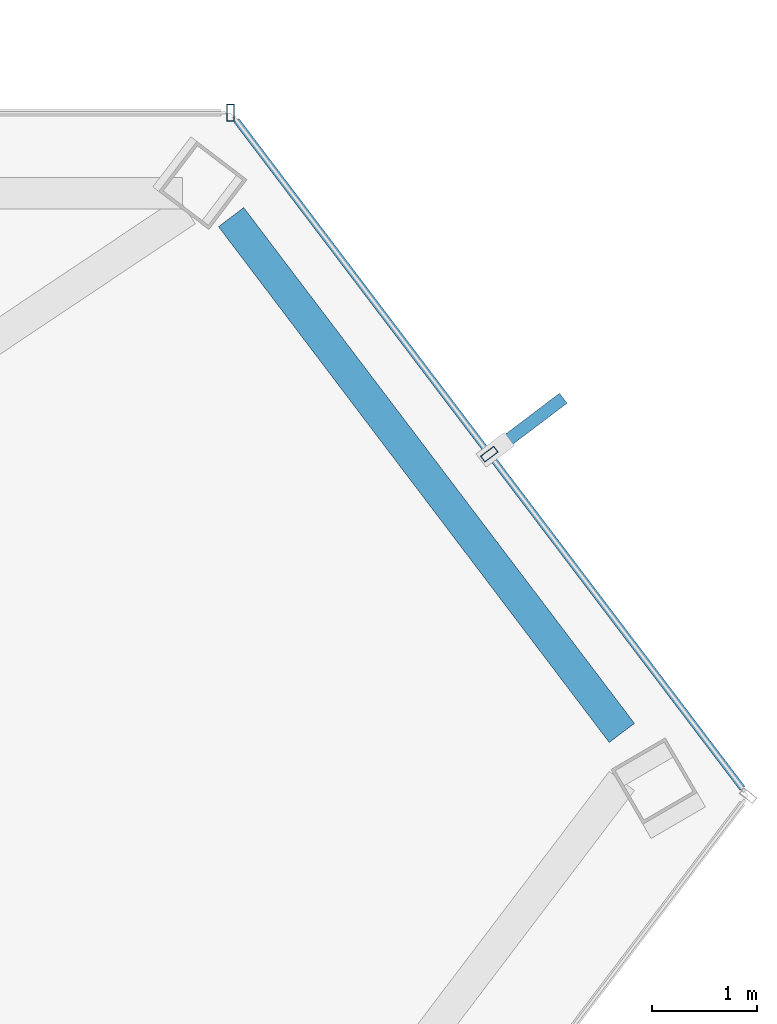
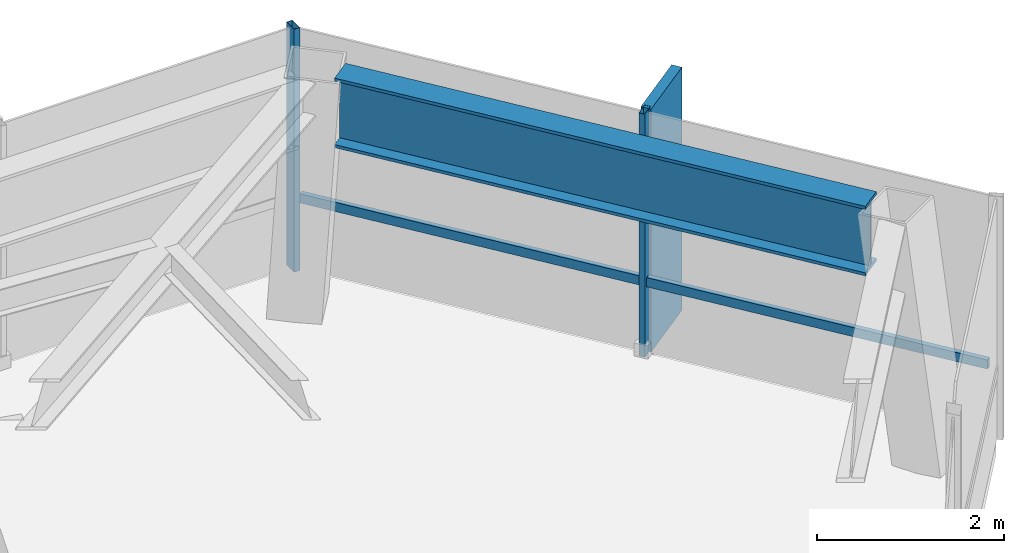
# One storey, part 22 of 27: 4 members, 1 beam, 2 elements without a shape of their own.
"""IFC4 building model written with IfcOpenShell, lengths in metres."""

from ifc_helpers import new_model, si_unit, direction, frame, origin, origin_2d, place, context, subcontext, project, spatial, rectangle, hollow_rectangle, i_section, extrude, material, layer, layer_set, material_profile, profile_set, type_object, element, aggregate, save


model = new_model("IFC4")

# Units and contexts
model_context = context("Model", 3, precision=1e-05, world=origin(), true_north=direction((0.0, 1.0)))
body_context = subcontext(model_context, "Body", "Model", "MODEL_VIEW")
ifc_project = project(units=[si_unit("LENGTHUNIT", "METRE"), si_unit("AREAUNIT", "SQUARE_METRE"), si_unit("VOLUMEUNIT", "CUBIC_METRE"), si_unit("PLANEANGLEUNIT", "RADIAN"), si_unit("MASSUNIT", "GRAM", prefix="KILO")], contexts=[model_context])

# Site, building, storey
site_placement = place(None, origin())
site = spatial("IfcSite", under=ifc_project, at=site_placement, CompositionType="ELEMENT")
building_placement = place(site_placement, origin())
building = spatial("IfcBuilding", under=site, at=building_placement, Name="Zarrinselat Tower", CompositionType="ELEMENT")
storey_placement = place(building_placement, frame((0.0, 0.0, 235.9599609375)))
storey = spatial("IfcBuildingStorey", under=building, at=storey_placement, Name="L59", CompositionType="ELEMENT", Elevation=235.9599609375)

# Beam
ifc_material_1 = material(Name="Steel S460M", Category="steel")
ifc_material_profile_1 = material_profile(ifc_material_1, i_section(OverallWidth=0.302001953125, OverallDepth=0.909912109375, WebThickness=0.02099609375, FlangeThickness=0.0400390625, at=origin_2d()), Name="HEM 900")
ifc_profile_set_1 = profile_set([ifc_material_profile_1], Name="Steel S460M")
beam_type = type_object("IfcBeamType", Name="BM-HEM900", PredefinedType="BEAM", material=ifc_profile_set_1)
beam_placement = place(storey_placement, frame((56.91943359375, 47.181396484375, 2.72509765625), z_axis=(0.603890426248, -0.79706734539, 0.0), x_axis=(0.79706734539, 0.603890426248, 0.0)))
element("IfcBeam", 1, at=beam_placement, inside=storey, type_object=beam_type, Name="L59 Perimeter Spandrel Girder SP15", PredefinedType="BEAM", context=body_context, shape_type="SweptSolid", body=[
    extrude(i_section(OverallWidth=0.302001953125, OverallDepth=0.909912109375, WebThickness=0.02099609375, FlangeThickness=0.0400390625, at=origin_2d()), origin(), (0.0, 0.0, 1.0), 6.173828125),
])

# Curtain wall, member
ifc_material_2 = material(Name="Extruded Aluminium Alloy EN AW-6063 T6", Category="aluminium")
ifc_layer = layer(ifc_material_2, 0.169921875)
ifc_layer_set = layer_set([ifc_layer], Name="Extruded Aluminium Alloy EN AW-6063 T6")
curtain_wall_type = type_object("IfcCurtainWallType", Name="CWS-RES", PredefinedType="NOTDEFINED", material=ifc_layer_set)
curtain_wall_1_placement = place(storey_placement, origin())
curtain_wall_1 = element("IfcCurtainWall", 2, at=curtain_wall_1_placement, inside=storey, type_object=curtain_wall_type, Name="L59 Unitised Curtain Wall CW-L59-E01", PredefinedType="NOTDEFINED")
ifc_material_3 = material(Name="Extruded Aluminium Alloy EN AW-6063 T6", Category="aluminium")
ifc_material_profile_2 = material_profile(ifc_material_3, hollow_rectangle(XDim=0.070068359375, YDim=0.159912109375, WallThickness=0.00390625, at=origin_2d()), Name="RHS 160x70x4")
ifc_profile_set_2 = profile_set([ifc_material_profile_2], Name="Extruded Aluminium Alloy EN AW-6063 T6")
member_type_1 = type_object("IfcMemberType", Name="MEM-CW-MUL2", PredefinedType="MULLION", material=ifc_profile_set_2)
member_1_placement = place(storey_placement, frame((56.915283203125, 48.177734375, 0.0), z_axis=(0.0, 0.0, 1.0), x_axis=(-1.0, 0.0, 0.0)))
member_1 = element("IfcMember", 3, at=member_1_placement, type_object=member_type_1, Name="CW-L59-E01 Mullion 0", PredefinedType="MULLION", context=body_context, shape_type="SweptSolid", body=[
    extrude(hollow_rectangle(XDim=0.070068359375, YDim=0.159912109375, WallThickness=0.00390625, at=origin_2d()), origin(), (0.0, 0.0, 1.0), 3.179931640625),
])
aggregate(curtain_wall_1, [member_1])

# Curtain wall, members
curtain_wall_2_placement = place(storey_placement, origin())
curtain_wall_2 = element("IfcCurtainWall", 4, at=curtain_wall_2_placement, inside=storey, type_object=curtain_wall_type, Name="L59 Unitised Curtain Wall CW-L59-E06", PredefinedType="NOTDEFINED")
member_2_placement = place(storey_placement, frame((59.3837890625, 44.91943359375, 0.0), z_axis=(0.0, 0.0, 1.0), x_axis=(-0.603858158982, 0.797091791346, 0.0)))
member_2 = element("IfcMember", 5, at=member_2_placement, type_object=member_type_1, Name="CW-L59-E06 Mullion 1", PredefinedType="MULLION", context=body_context, shape_type="SweptSolid", body=[
    extrude(hollow_rectangle(XDim=0.070068359375, YDim=0.159912109375, WallThickness=0.00390625, at=origin_2d()), origin(), (0.0, 0.0, 1.0), 3.179931640625),
])
ifc_material_4 = material(Name="Extruded Aluminium Alloy EN AW-6063 T6", Category="aluminium")
ifc_material_profile_3 = material_profile(ifc_material_4, hollow_rectangle(XDim=0.06005859375, YDim=0.1201171875, WallThickness=0.00390625, at=origin_2d()), Name="RHS 120x60x4")
ifc_profile_set_3 = profile_set([ifc_material_profile_3], Name="Extruded Aluminium Alloy EN AW-6063 T6")
member_type_2 = type_object("IfcMemberType", Name="MEM-CW-TRN2", PredefinedType="USERDEFINED", material=ifc_profile_set_3)
member_3_placement = place(storey_placement, frame((61.7978515625, 41.73291015625, 0.949951171875), z_axis=(-0.603867093934, 0.797085022356, 0.0), x_axis=(-0.797085022356, -0.603867093934, 0.0)))
member_3 = element("IfcMember", 6, at=member_3_placement, type_object=member_type_2, Name="CW-L59-E06 Transom 1", ObjectType="TRANSOM", PredefinedType="USERDEFINED", context=body_context, shape_type="SweptSolid", body=[
    extrude(hollow_rectangle(XDim=0.06005859375, YDim=0.1201171875, WallThickness=0.00390625, at=origin_2d()), origin(), (0.0, 0.0, 1.0), 7.995849609375),
])
ifc_material_5 = material(Name="Honed Cream Travertine Stone", Category="masonry")
ifc_material_profile_4 = material_profile(ifc_material_5, rectangle(XDim=0.1201171875, YDim=0.85009765625, at=origin_2d()), Name="FIN 850x120")
ifc_profile_set_4 = profile_set([ifc_material_profile_4], Name="Honed Cream Travertine Stone")
member_type_3 = type_object("IfcMemberType", Name="MEM-STONE-FIN", PredefinedType="USERDEFINED", material=ifc_profile_set_4)
member_4_placement = place(storey_placement, frame((59.75048828125, 45.197265625, 0.0), z_axis=(0.0, 0.0, 1.0), x_axis=(0.603858158982, -0.797091791346, 0.0)))
member_4 = element("IfcMember", 7, at=member_4_placement, type_object=member_type_3, Name="L59 Stone Shading Fin CW-L59-E06-01", ObjectType="FIN", PredefinedType="USERDEFINED", context=body_context, shape_type="SweptSolid", body=[
    extrude(rectangle(XDim=0.1201171875, YDim=0.85009765625, at=origin_2d()), origin(), (0.0, 0.0, 1.0), 3.179931640625),
])
aggregate(curtain_wall_2, [member_2, member_4, member_3])

save(model, "model.ifc")
